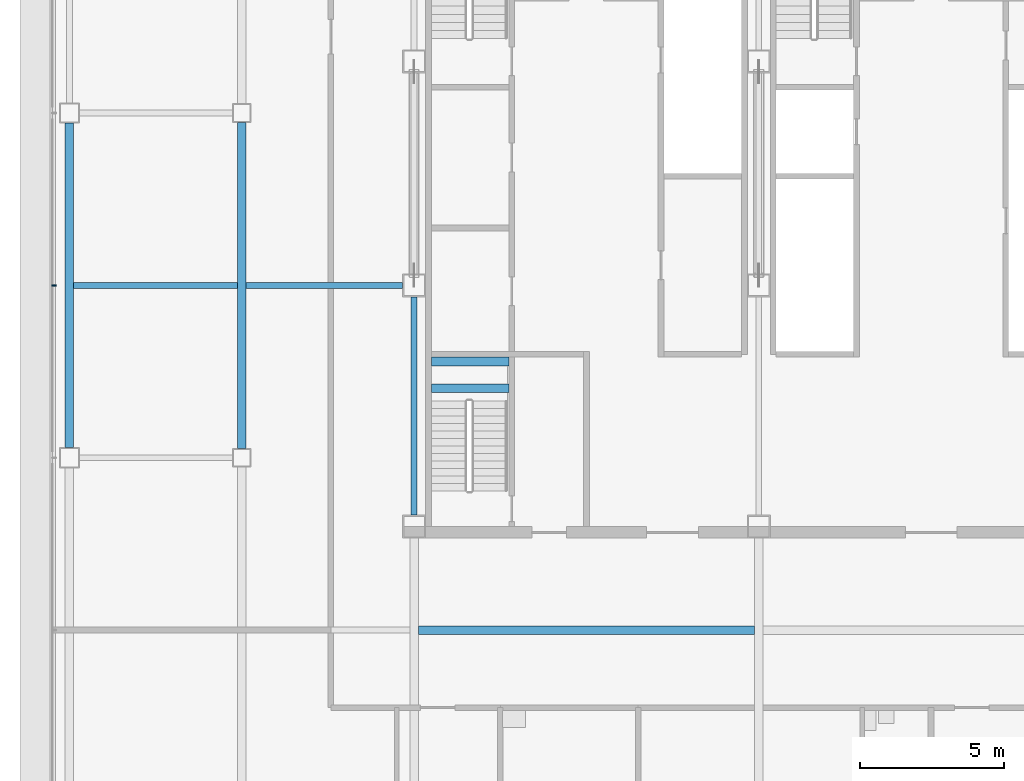
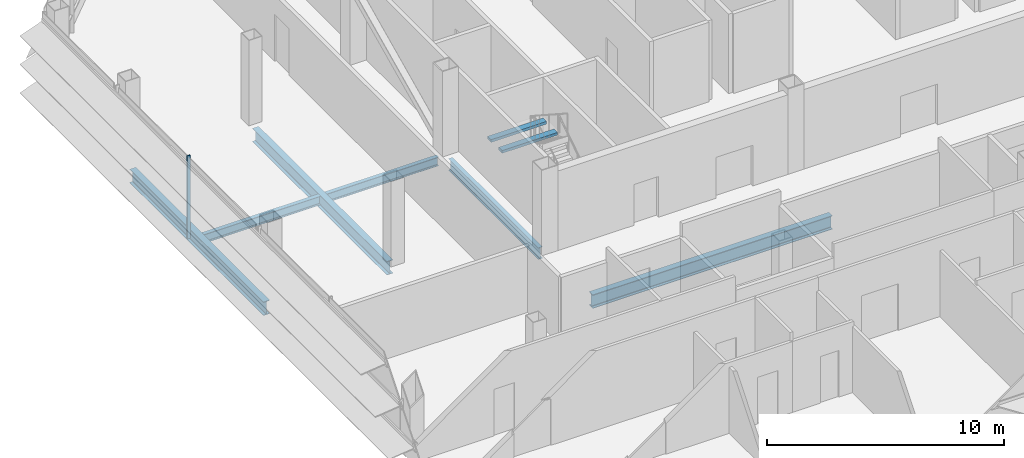
# One storey, part 6 of 26: 8 beams, 1 member, 1 element without a shape of its own.
"""IFC4 building model written with IfcOpenShell, lengths in metres."""

import ifcopenshell
import ifcopenshell.guid

model = None  # the IFC model being written
_history = None  # IfcOwnerHistory: only IFC2X3 demands one
_inside = {}  # id of a spatial element -> (the spatial element, [elements in it])
_under = {}  # id of a project, library or spatial element -> (it, [spatial elements below it])
_declared = {}  # id of a project -> (the project, [libraries it declares])
_typed = {}  # id of a type object -> (the type object, [elements of that type])
_made_of = {}  # id of a material, layer set ... -> (it, [elements and type objects made of it])


def new_model(schema):
    """Start an empty IFC model of exactly this schema.

    Asked for "IFC4X3", IfcOpenShell would pick the latest addendum, in which some entities
    have other attributes; the version numbers below select the first issue.
    IFC2X3 requires an IfcOwnerHistory on every rooted entity: one is made here for all.
    """
    global model, _history
    if schema == "IFC4X3":
        model = ifcopenshell.file(schema_version=(4, 3, 0, 0))
    else:
        model = ifcopenshell.file(schema=schema)
    _inside.clear()
    _under.clear()
    _declared.clear()
    _typed.clear()
    _made_of.clear()
    _history = None
    if model.schema == "IFC2X3":
        org = make("IfcOrganization", Name="unknown")
        user = make(
            "IfcPersonAndOrganization",
            ThePerson=make("IfcPerson", FamilyName="unknown"),
            TheOrganization=org,
        )
        app = make(
            "IfcApplication",
            ApplicationDeveloper=org,
            Version="unknown",
            ApplicationFullName="unknown",
            ApplicationIdentifier="unknown",
        )
        _history = make(
            "IfcOwnerHistory",
            OwningUser=user,
            OwningApplication=app,
            ChangeAction="ADDED",
            CreationDate=0,
        )
    return model


def make(cls, **values):
    """One entity of the class cls with the attributes given. An attribute that is None is left unset."""
    return model.create_entity(
        cls, **{name: value for name, value in values.items() if value is not None}
    )


def rooted(cls, **values):
    """An entity with a GlobalId (a new one), such as an element, a storey or a relation."""
    return make(cls, GlobalId=ifcopenshell.guid.new(), OwnerHistory=_history, **values)


def si_unit(unit_type, name, prefix=None):
    """IfcSIUnit, for example si_unit("LENGTHUNIT", "METRE", prefix="MILLI")."""
    return make("IfcSIUnit", UnitType=unit_type, Prefix=prefix, Name=name)


def assignment(units):
    """IfcUnitAssignment: the units of a project."""
    return None if units is None else make("IfcUnitAssignment", Units=units)


def point(xyz):
    """IfcCartesianPoint."""
    return None if xyz is None else make("IfcCartesianPoint", Coordinates=xyz)


def direction(xyz):
    """IfcDirection."""
    return None if xyz is None else make("IfcDirection", DirectionRatios=xyz)


def frame(location, z_axis=None, x_axis=None):
    """IfcAxis2Placement3D, a coordinate frame: its origin and axes. An axis left out is left unset."""
    return make(
        "IfcAxis2Placement3D",
        Location=point(location),
        Axis=direction(z_axis),
        RefDirection=direction(x_axis),
    )


def frame_2d(location, x_axis=None):
    """IfcAxis2Placement2D, a coordinate frame in the plane: its origin and x axis."""
    return make(
        "IfcAxis2Placement2D", Location=point(location), RefDirection=direction(x_axis)
    )


def origin():
    """The frame at (0, 0, 0) with its axes left unset."""
    return frame((0.0, 0.0, 0.0))


def origin_2d():
    """The frame at (0, 0) in the plane with its x axis left unset."""
    return frame_2d((0.0, 0.0))


def place(relative_to, where):
    """IfcLocalPlacement: puts the frame where relative to a parent placement (None: the world)."""
    return make(
        "IfcLocalPlacement", PlacementRelTo=relative_to, RelativePlacement=where
    )


def context(
    kind, dimensions, precision=None, world=None, true_north=None, identifier=None
):
    """IfcGeometricRepresentationContext, for example the 3D "Model" context."""
    return make(
        "IfcGeometricRepresentationContext",
        ContextIdentifier=identifier,
        ContextType=kind,
        CoordinateSpaceDimension=dimensions,
        Precision=precision,
        WorldCoordinateSystem=world,
        TrueNorth=true_north,
    )


def subcontext(parent, identifier, kind, view, scale=None):
    """IfcGeometricRepresentationSubContext, for example "Body" below "Model"."""
    return make(
        "IfcGeometricRepresentationSubContext",
        ContextIdentifier=identifier,
        ContextType=kind,
        ParentContext=parent,
        TargetScale=scale,
        TargetView=view,
    )


def project(units=None, contexts=None):
    """IfcProject with its units and contexts."""
    return rooted(
        "IfcProject",
        Name="project",
        RepresentationContexts=contexts,
        UnitsInContext=assignment(units),
    )


def spatial(cls, under=None, at=None, **own):
    """A site, building, storey or space (cls), placed at a placement, below another one or the project."""
    s = rooted(cls, ObjectPlacement=at, **own)
    if under is not None:
        _under.setdefault(under.id(), (under, []))[1].append(s)
    return s


def profile(cls, at=None, kind="AREA", **sizes):
    """A parametric profile (cls). Its sizes go by their IFC names, for example OverallWidth=200.0."""
    return make(cls, ProfileType=kind, Position=at, **sizes)


def rectangle(**sizes):
    """IfcRectangleProfileDef."""
    return profile("IfcRectangleProfileDef", **sizes)


def i_section(**sizes):
    """IfcIShapeProfileDef."""
    return profile("IfcIShapeProfileDef", **sizes)


def extrude(swept, where, along, depth):
    """IfcExtrudedAreaSolid: the profile swept, set in the frame where, extruded along a direction by depth."""
    return make(
        "IfcExtrudedAreaSolid",
        SweptArea=swept,
        Position=where,
        ExtrudedDirection=direction(along),
        Depth=depth,
    )


def shape(context_of_items, identifier, shape_type, items):
    """IfcShapeRepresentation: the items that make up one representation, for example the "Body"."""
    return make(
        "IfcShapeRepresentation",
        ContextOfItems=context_of_items,
        RepresentationIdentifier=identifier,
        RepresentationType=shape_type,
        Items=items,
    )


def material(Name=None, Category=None):
    """IfcMaterial."""
    return make("IfcMaterial", Name=Name, Category=Category)


def material_profile(
    of_material, cross_section, Name=None, Category=None, Priority=None
):
    """IfcMaterialProfile: a cross section and its material."""
    return make(
        "IfcMaterialProfile",
        Name=Name,
        Material=of_material,
        Profile=cross_section,
        Priority=Priority,
        Category=Category,
    )


def profile_set(profiles, Name=None, composite=None):
    """IfcMaterialProfileSet."""
    return make(
        "IfcMaterialProfileSet",
        Name=Name,
        MaterialProfiles=profiles,
        CompositeProfile=composite,
    )


def made_of(thing, what):
    """Note that an element or type object is made of a material, layer set ...; save() writes the relation."""
    if what is not None:
        _made_of.setdefault(what.id(), (what, []))[1].append(thing)
    return thing


def type_object(cls, material=None, **own):
    """A type object (cls), such as IfcWallType, which elements share."""
    return made_of(rooted(cls, **own), material)


def element(
    cls,
    number,
    at=None,
    inside=None,
    cuts=None,
    type_object=None,
    material=None,
    context=None,
    identifier="Body",
    shape_type=None,
    held_by="IfcProductDefinitionShape",
    body=None,
    shapes=None,
    **own,
):
    """One element of the class cls, such as IfcWall. Its Tag is "e" and its number.

    at: its placement. inside: the storey or other place that contains it. cuts: it is an
    opening in that element (IfcRelVoidsElement). A single representation is given by context,
    identifier, shape_type and body (its items); several are given by shapes. held_by: the class
    of the entity that holds the representations. save() writes the other relations.
    """
    e = rooted(cls, Tag="e%d" % number, ObjectPlacement=at, **own)
    if body is not None:
        shapes = [shape(context, identifier, shape_type, body)]
    if shapes is not None:
        e.Representation = make(held_by, Representations=shapes)
    if inside is not None:
        _inside.setdefault(inside.id(), (inside, []))[1].append(e)
    if cuts is not None:
        rooted(
            "IfcRelVoidsElement", RelatingBuildingElement=cuts, RelatedOpeningElement=e
        )
    if type_object is not None:
        _typed.setdefault(type_object.id(), (type_object, []))[1].append(e)
    return made_of(e, material)


def aggregate(whole, parts):
    """IfcRelAggregates: a whole, such as a stair, and the parts it consists of."""
    return rooted("IfcRelAggregates", RelatingObject=whole, RelatedObjects=parts)


def save(model, path):
    """Write the relations noted so far, then the file.

    IfcRelAggregates (storeys below a building ...), IfcRelContainedInSpatialStructure (elements
    in a storey), IfcRelDefinesByType, IfcRelAssociatesMaterial and IfcRelDeclares: one each for
    every whole, place, type object, material and project.
    """
    for whole, parts in _under.values():
        aggregate(whole, parts)
    for where, things in _inside.values():
        rooted(
            "IfcRelContainedInSpatialStructure",
            RelatedElements=things,
            RelatingStructure=where,
        )
    for kind, things in _typed.values():
        rooted("IfcRelDefinesByType", RelatedObjects=things, RelatingType=kind)
    for what, things in _made_of.values():
        rooted("IfcRelAssociatesMaterial", RelatedObjects=things, RelatingMaterial=what)
    for by, libraries in _declared.values():
        rooted("IfcRelDeclares", RelatingContext=by, RelatedDefinitions=libraries)
    model.write(path)


model = new_model("IFC4")

# Units and contexts
model_context = context("Model", 3, precision=1e-05, world=origin(), true_north=direction((0.0, 1.0)))
body_context = subcontext(model_context, "Body", "Model", "MODEL_VIEW")
ifc_project = project(units=[si_unit("LENGTHUNIT", "METRE"), si_unit("AREAUNIT", "SQUARE_METRE"), si_unit("VOLUMEUNIT", "CUBIC_METRE"), si_unit("PLANEANGLEUNIT", "RADIAN"), si_unit("MASSUNIT", "GRAM", prefix="KILO")], contexts=[model_context])

# Site, building, storey
site_placement = place(None, origin())
site = spatial("IfcSite", under=ifc_project, at=site_placement, CompositionType="ELEMENT")
building_placement = place(site_placement, origin())
building = spatial("IfcBuilding", under=site, at=building_placement, Name="Sorahane Residences", CompositionType="ELEMENT")
storey_placement = place(building_placement, frame((0.0, 0.0, 181.60009765625)))
storey = spatial("IfcBuildingStorey", under=building, at=storey_placement, Name="L42", CompositionType="ELEMENT", Elevation=181.60009765625)

# Curtain wall, member
ifc_material_1 = material(Name="Dark low-e glass and black anodised aluminium", Category="aluminium")
curtain_wall_type = type_object("IfcCurtainWallType", Name="Curtain wall CW-1 Typical unitised wall", PredefinedType="NOTDEFINED", material=ifc_material_1)
curtain_wall_placement = place(storey_placement, origin())
curtain_wall = element("IfcCurtainWall", 1, at=curtain_wall_placement, inside=storey, type_object=curtain_wall_type, Name="CW-1 curtain wall L42 W1", PredefinedType="NOTDEFINED")
ifc_material_2 = material(Name="Black anodised aluminium", Category="aluminium")
ifc_material_profile_1 = material_profile(ifc_material_2, rectangle(XDim=0.159912109375, YDim=0.050048828125, at=origin_2d()), Name="Curtain wall mullion CW-1 black anodised aluminium 50x160")
ifc_profile_set_1 = profile_set([ifc_material_profile_1], Name="Black anodised aluminium")
member_type = type_object("IfcMemberType", Name="Curtain wall mullion CW-1 black anodised aluminium 50x160", PredefinedType="MULLION", material=ifc_profile_set_1)
member_placement = place(storey_placement, frame((-6.5400390625, 30.0, -0.18017578125), z_axis=(0.0, 0.0, 1.0), x_axis=(-1.0, 0.0, 0.0)))
member = element("IfcMember", 2, at=member_placement, type_object=member_type, Name="CW-1 mullion L42 W1.3", PredefinedType="MULLION", context=body_context, shape_type="SweptSolid", body=[
    extrude(rectangle(XDim=0.159912109375, YDim=0.050048828125, at=origin_2d()), origin(), (0.0, 0.0, 1.0), 4.280029296875),
])
aggregate(curtain_wall, [member])

# Beams
ifc_material_3 = material(Name="Concrete C40", Category="concrete")
ifc_material_profile_2 = material_profile(ifc_material_3, rectangle(XDim=0.300048828125, YDim=0.139892578125, at=origin_2d()), Name="300x140")
ifc_profile_set_2 = profile_set([ifc_material_profile_2], Name="Concrete C40")
beam_type_1 = type_object("IfcBeamType", Name="RC landing beam 300 x 140 Concrete C40", PredefinedType="BEAM", material=ifc_profile_set_2)
for number, where, z_axis, x_axis, name in (
    (3, (6.60009765625, 26.419921875, 1.929931640625), (1.0, 0.0, 0.0), (0.0, 1.0, 0.0), "Landing beam"),
    (4, (6.60009765625, 27.35009765625, 1.929931640625), (1.0, 0.0, 0.0), (0.0, 1.0, 0.0), "Landing beam"),
):
    element("IfcBeam", number, at=place(storey_placement, frame(where, z_axis=z_axis, x_axis=x_axis)), inside=storey, type_object=beam_type_1, Name=name, PredefinedType="BEAM", context=body_context, shape_type="SweptSolid", body=[
        extrude(rectangle(XDim=0.300048828125, YDim=0.139892578125, at=origin_2d()), origin(), (0.0, 0.0, 1.0), 2.699951171875),
    ])
ifc_material_4 = material(Name="Steel Q355B", Category="steel")
ifc_material_profile_3 = material_profile(ifc_material_4, i_section(OverallWidth=0.199951171875, OverallDepth=0.449951171875, WebThickness=0.009033203125, FlangeThickness=0.013916015625, FilletRadius=0.02001953125, at=origin_2d()), Name="HN 450x200x9x14")
ifc_profile_set_3 = profile_set([ifc_material_profile_3], Name="Steel Q355B")
beam_type_2 = type_object("IfcBeamType", Name="Steel floor beam HN 450x200x9x14 Q355B", PredefinedType="BEAM", material=ifc_profile_set_3)
beam_1_placement = place(storey_placement, frame((-5.85009765625, 30.0, -0.405029296875), z_axis=(1.0, 0.0, 0.0), x_axis=(0.0, 1.0, 0.0)))
element("IfcBeam", 5, at=beam_1_placement, inside=storey, type_object=beam_type_2, Name="Beam L42 085", PredefinedType="BEAM", context=body_context, shape_type="SweptSolid", body=[
    extrude(i_section(OverallWidth=0.199951171875, OverallDepth=0.449951171875, WebThickness=0.009033203125, FlangeThickness=0.013916015625, FilletRadius=0.02001953125, at=origin_2d()), origin(), (0.0, 0.0, 1.0), 5.7001953125),
])
beam_2_placement = place(storey_placement, frame((0.14990234375, 30.0, -0.405029296875), z_axis=(1.0, 0.0, 0.0), x_axis=(0.0, 1.0, 0.0)))
element("IfcBeam", 6, at=beam_2_placement, inside=storey, type_object=beam_type_2, Name="Beam L42 086", PredefinedType="BEAM", context=body_context, shape_type="SweptSolid", body=[
    extrude(i_section(OverallWidth=0.199951171875, OverallDepth=0.449951171875, WebThickness=0.009033203125, FlangeThickness=0.013916015625, FilletRadius=0.02001953125, at=origin_2d()), origin(), (0.0, 0.0, 1.0), 5.4501953125),
])
ifc_material_5 = material(Name="Steel Q355B", Category="steel")
ifc_material_profile_4 = material_profile(ifc_material_5, i_section(OverallWidth=0.199951171875, OverallDepth=0.60009765625, WebThickness=0.010986328125, FlangeThickness=0.01708984375, FilletRadius=0.02392578125, at=origin_2d()), Name="HN 600x200x11x17")
ifc_profile_set_4 = profile_set([ifc_material_profile_4], Name="Steel Q355B")
beam_type_3 = type_object("IfcBeamType", Name="Steel floor beam HN 600x200x11x17 Q355B", PredefinedType="BEAM", material=ifc_profile_set_4)
beam_3_placement = place(storey_placement, frame((6.0, 22.0, -0.47998046875), z_axis=(0.0, 1.0, 0.0), x_axis=(-1.0, 0.0, 0.0)))
element("IfcBeam", 7, at=beam_3_placement, inside=storey, type_object=beam_type_3, Name="Beam L42 030", PredefinedType="BEAM", context=body_context, shape_type="SweptSolid", body=[
    extrude(i_section(OverallWidth=0.199951171875, OverallDepth=0.60009765625, WebThickness=0.010986328125, FlangeThickness=0.01708984375, FilletRadius=0.02392578125, at=origin_2d()), origin(), (0.0, 0.0, 1.0), 7.60009765625),
])
ifc_material_6 = material(Name="Steel Q355B", Category="steel")
ifc_material_profile_5 = material_profile(ifc_material_6, i_section(OverallWidth=0.300048828125, OverallDepth=0.699951171875, WebThickness=0.012939453125, FlangeThickness=0.02392578125, FilletRadius=0.028076171875, at=origin_2d()), Name="HN 700x300x13x24")
ifc_profile_set_5 = profile_set([ifc_material_profile_5], Name="Steel Q355B")
beam_type_4 = type_object("IfcBeamType", Name="Steel floor beam HN 700x300x13x24 Q355B", PredefinedType="BEAM", material=ifc_profile_set_5)
beam_4_placement = place(storey_placement, frame((-6.0, 24.35009765625, -0.530029296875), z_axis=(0.0, 1.0, 0.0), x_axis=(-1.0, 0.0, 0.0)))
element("IfcBeam", 8, at=beam_4_placement, inside=storey, type_object=beam_type_4, Name="Beam L42 022", PredefinedType="BEAM", context=body_context, shape_type="SweptSolid", body=[
    extrude(i_section(OverallWidth=0.300048828125, OverallDepth=0.699951171875, WebThickness=0.012939453125, FlangeThickness=0.02392578125, FilletRadius=0.028076171875, at=origin_2d()), origin(), (0.0, 0.0, 1.0), 11.2998046875),
])
beam_5_placement = place(storey_placement, frame((0.0, 24.324951171875, -0.530029296875), z_axis=(0.0, 1.0, 0.0), x_axis=(-1.0, 0.0, 0.0)))
element("IfcBeam", 9, at=beam_5_placement, inside=storey, type_object=beam_type_4, Name="Beam L42 026", PredefinedType="BEAM", context=body_context, shape_type="SweptSolid", body=[
    extrude(i_section(OverallWidth=0.300048828125, OverallDepth=0.699951171875, WebThickness=0.012939453125, FlangeThickness=0.02392578125, FilletRadius=0.028076171875, at=origin_2d()), origin(), (0.0, 0.0, 1.0), 11.35009765625),
])
beam_6_placement = place(storey_placement, frame((6.14990234375, 18.0, -0.530029296875), z_axis=(1.0, 0.0, 0.0), x_axis=(0.0, 1.0, 0.0)))
element("IfcBeam", 10, at=beam_6_placement, inside=storey, type_object=beam_type_4, Name="Beam L42 080", PredefinedType="BEAM", context=body_context, shape_type="SweptSolid", body=[
    extrude(i_section(OverallWidth=0.300048828125, OverallDepth=0.699951171875, WebThickness=0.012939453125, FlangeThickness=0.02392578125, FilletRadius=0.028076171875, at=origin_2d()), origin(), (0.0, 0.0, 1.0), 11.7001953125),
])

save(model, "model.ifc")
